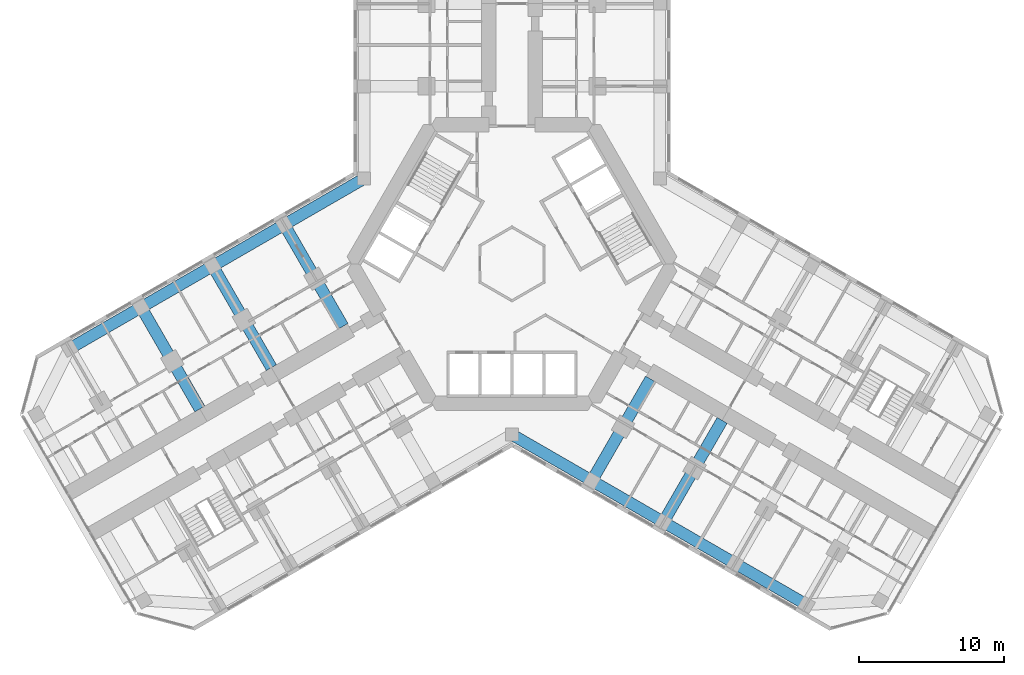
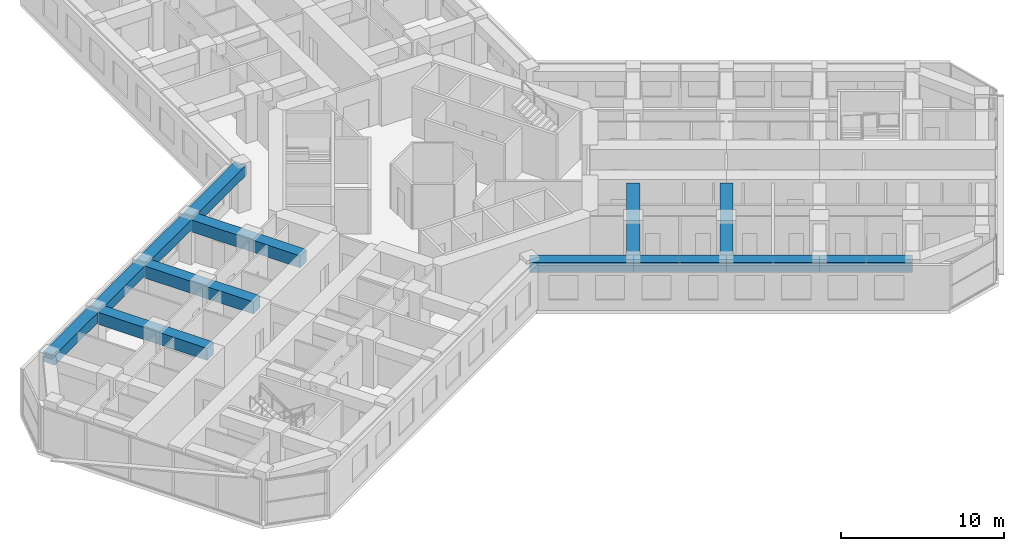
# One storey, part 4 of 21: 13 beams.
"""IFC4 building model written with IfcOpenShell, lengths in metres."""

from ifc_helpers import new_model, si_unit, direction, frame, origin, origin_2d, place, context, subcontext, project, spatial, rectangle, extrude, material, material_profile, profile_set, type_object, element, save


model = new_model("IFC4")

# Units and contexts
model_context = context("Model", 3, precision=1e-05, world=origin(), true_north=direction((0.0, 1.0)))
body_context = subcontext(model_context, "Body", "Model", "MODEL_VIEW")
ifc_project = project(units=[si_unit("LENGTHUNIT", "METRE"), si_unit("AREAUNIT", "SQUARE_METRE"), si_unit("VOLUMEUNIT", "CUBIC_METRE"), si_unit("PLANEANGLEUNIT", "RADIAN"), si_unit("MASSUNIT", "GRAM", prefix="KILO")], contexts=[model_context])

# Site, building, storey
site_placement = place(None, origin())
site = spatial("IfcSite", under=ifc_project, at=site_placement, CompositionType="ELEMENT")
building_placement = place(site_placement, origin())
building = spatial("IfcBuilding", under=site, at=building_placement, Name="Kosmar Iwan School Tower", CompositionType="ELEMENT")
storey_placement = place(building_placement, frame((0.0, 0.0, 106.0)))
storey = spatial("IfcBuildingStorey", under=building, at=storey_placement, Name="L26", CompositionType="ELEMENT", Elevation=106.0)

# Beams
ifc_material_1 = material(Name="Concrete C50/60", Category="concrete")
ifc_material_profile_1 = material_profile(ifc_material_1, rectangle(XDim=0.800048828125, YDim=0.75, at=origin_2d()), Name="RC 800x750")
ifc_profile_set_1 = profile_set([ifc_material_profile_1], Name="Concrete C50/60")
beam_type_1 = type_object("IfcBeamType", Name="RC edge beam 800x750", PredefinedType="BEAM", material=ifc_profile_set_1)
beam_1_placement = place(storey_placement, frame((-10.199951171875, 5.888916015625, 2.97509765625), z_axis=(-0.866030912664, -0.49999045822, 0.0), x_axis=(0.49999045822, -0.866030912664, 0.0)))
element("IfcBeam", 1, at=beam_1_placement, inside=storey, type_object=beam_type_1, Name="Edge beam BR1", PredefinedType="BEAM", context=body_context, shape_type="SweptSolid", body=[
    extrude(rectangle(XDim=0.800048828125, YDim=0.75, at=origin_2d()), origin(), (0.0, 0.0, 1.0), 6.36083984375),
])
beam_2_placement = place(storey_placement, frame((-15.708740234375, 2.70849609375, 2.97509765625), z_axis=(-0.866025820012, -0.499999279071, 0.0), x_axis=(0.499999279071, -0.866025820012, 0.0)))
element("IfcBeam", 2, at=beam_2_placement, inside=storey, type_object=beam_type_1, Name="Edge beam BR2", PredefinedType="BEAM", context=body_context, shape_type="SweptSolid", body=[
    extrude(rectangle(XDim=0.800048828125, YDim=0.75, at=origin_2d()), origin(), (0.0, 0.0, 1.0), 5.7001953125),
])
for number, where, z_axis, x_axis, name in (
    (3, (-20.645263671875, -0.1416015625, 2.97509765625), (-0.866033658841, -0.49998570155, 0.0), (0.49998570155, -0.866033658841, 0.0), "Edge beam BR3"),
    (4, (-25.58154296875, -2.991455078125, 2.97509765625), (-0.866015111908, -0.50001782563, 0.0), (0.50001782563, -0.866015111908, 0.0), "Edge beam BR4"),
):
    element("IfcBeam", number, at=place(storey_placement, frame(where, z_axis=z_axis, x_axis=x_axis)), inside=storey, type_object=beam_type_1, Name=name, PredefinedType="BEAM", context=body_context, shape_type="SweptSolid", body=[
        extrude(rectangle(XDim=0.800048828125, YDim=0.75, at=origin_2d()), origin(), (0.0, 0.0, 1.0), 5.699951171875),
    ])
beam_3_placement = place(storey_placement, frame((0.0, -11.77783203125, 2.97509765625), z_axis=(0.866014293216, -0.500019243575, 0.0), x_axis=(0.500019243575, 0.866014293216, 0.0)))
element("IfcBeam", 5, at=beam_3_placement, inside=storey, type_object=beam_type_1, Name="Edge beam CR1", PredefinedType="BEAM", context=body_context, shape_type="SweptSolid", body=[
    extrude(rectangle(XDim=0.800048828125, YDim=0.75, at=origin_2d()), origin(), (0.0, 0.0, 1.0), 6.361083984375),
])
beam_4_placement = place(storey_placement, frame((5.5087890625, -14.95849609375, 2.97509765625), z_axis=(0.866033658841, -0.49998570155, 0.0), x_axis=(0.49998570155, 0.866033658841, 0.0)))
element("IfcBeam", 6, at=beam_4_placement, inside=storey, type_object=beam_type_1, Name="Edge beam CR2", PredefinedType="BEAM", context=body_context, shape_type="SweptSolid", body=[
    extrude(rectangle(XDim=0.800048828125, YDim=0.75, at=origin_2d()), origin(), (0.0, 0.0, 1.0), 5.699951171875),
])
beam_5_placement = place(storey_placement, frame((10.445068359375, -17.808349609375, 2.97509765625), z_axis=(0.866025820012, -0.499999279071, 0.0), x_axis=(0.499999279071, 0.866025820012, 0.0)))
element("IfcBeam", 7, at=beam_5_placement, inside=storey, type_object=beam_type_1, Name="Edge beam CR3", PredefinedType="BEAM", context=body_context, shape_type="SweptSolid", body=[
    extrude(rectangle(XDim=0.800048828125, YDim=0.75, at=origin_2d()), origin(), (0.0, 0.0, 1.0), 5.7001953125),
])
beam_6_placement = place(storey_placement, frame((15.381591796875, -20.658447265625, 2.97509765625), z_axis=(0.866015111908, -0.50001782563, 0.0), x_axis=(0.50001782563, 0.866015111908, 0.0)))
element("IfcBeam", 8, at=beam_6_placement, inside=storey, type_object=beam_type_1, Name="Edge beam CR4", PredefinedType="BEAM", context=body_context, shape_type="SweptSolid", body=[
    extrude(rectangle(XDim=0.800048828125, YDim=0.75, at=origin_2d()), origin(), (0.0, 0.0, 1.0), 5.699951171875),
])
ifc_material_2 = material(Name="Concrete C50/60", Category="concrete")
ifc_material_profile_2 = material_profile(ifc_material_2, rectangle(XDim=0.800048828125, YDim=0.89990234375, at=origin_2d()), Name="RC 800x900")
ifc_profile_set_2 = profile_set([ifc_material_profile_2], Name="Concrete C50/60")
beam_type_2 = type_object("IfcBeamType", Name="RC transverse beam 800x900", PredefinedType="BEAM", material=ifc_profile_set_2)
beam_7_placement = place(storey_placement, frame((-15.708740234375, 2.70849609375, 2.89990234375), z_axis=(0.499999880539, -0.866025472755, 0.0), x_axis=(0.866025472755, 0.499999880539, 0.0)))
element("IfcBeam", 9, at=beam_7_placement, inside=storey, type_object=beam_type_2, Name="Transverse beam BR1", PredefinedType="BEAM", context=body_context, shape_type="SweptSolid", body=[
    extrude(rectangle(XDim=0.800048828125, YDim=0.89990234375, at=origin_2d()), origin(), (0.0, 0.0, 1.0), 8.10009765625),
])
beam_8_placement = place(storey_placement, frame((-20.645263671875, -0.1416015625, 2.89990234375), z_axis=(0.500012932018, -0.866017937352, 0.0), x_axis=(0.866017937352, 0.500012932018, 0.0)))
element("IfcBeam", 10, at=beam_8_placement, inside=storey, type_object=beam_type_2, Name="Transverse beam BR2", PredefinedType="BEAM", context=body_context, shape_type="SweptSolid", body=[
    extrude(rectangle(XDim=0.800048828125, YDim=0.89990234375, at=origin_2d()), origin(), (0.0, 0.0, 1.0), 8.099853515625),
])
for number, where, z_axis, x_axis, name in (
    (11, (-25.58154296875, -2.991455078125, 2.89990234375), (0.499999880539, -0.866025472755, 0.0), (0.866025472755, 0.499999880539, 0.0), "Transverse beam BR3"),
    (12, (5.5087890625, -14.95849609375, 2.89990234375), (0.499999880539, 0.866025472755, 0.0), (-0.866025472755, 0.499999880539, 0.0), "Transverse beam CR1"),
):
    element("IfcBeam", number, at=place(storey_placement, frame(where, z_axis=z_axis, x_axis=x_axis)), inside=storey, type_object=beam_type_2, Name=name, PredefinedType="BEAM", context=body_context, shape_type="SweptSolid", body=[
        extrude(rectangle(XDim=0.800048828125, YDim=0.89990234375, at=origin_2d()), origin(), (0.0, 0.0, 1.0), 8.10009765625),
    ])
beam_9_placement = place(storey_placement, frame((10.445068359375, -17.808349609375, 2.89990234375), z_axis=(0.500012932018, 0.866017937352, 0.0), x_axis=(-0.866017937352, 0.500012932018, 0.0)))
element("IfcBeam", 13, at=beam_9_placement, inside=storey, type_object=beam_type_2, Name="Transverse beam CR2", PredefinedType="BEAM", context=body_context, shape_type="SweptSolid", body=[
    extrude(rectangle(XDim=0.800048828125, YDim=0.89990234375, at=origin_2d()), origin(), (0.0, 0.0, 1.0), 8.099853515625),
])

save(model, "model.ifc")
